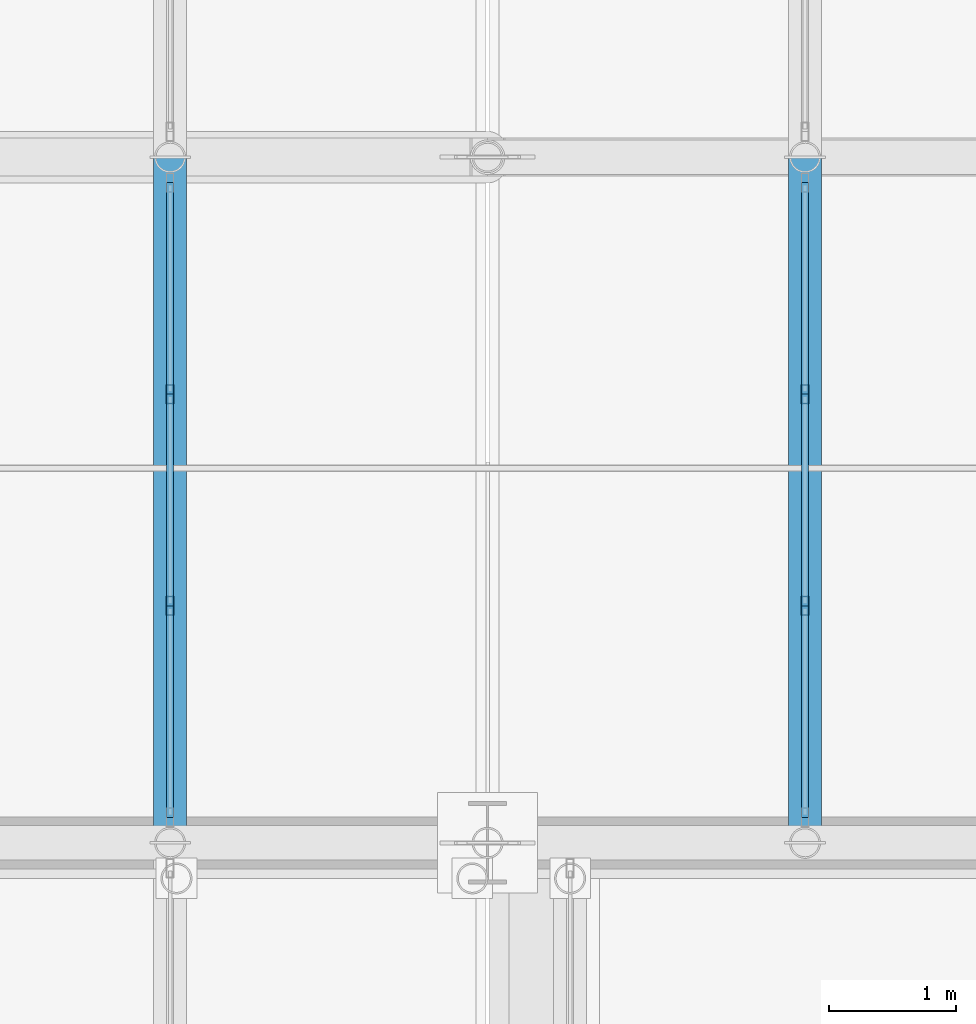
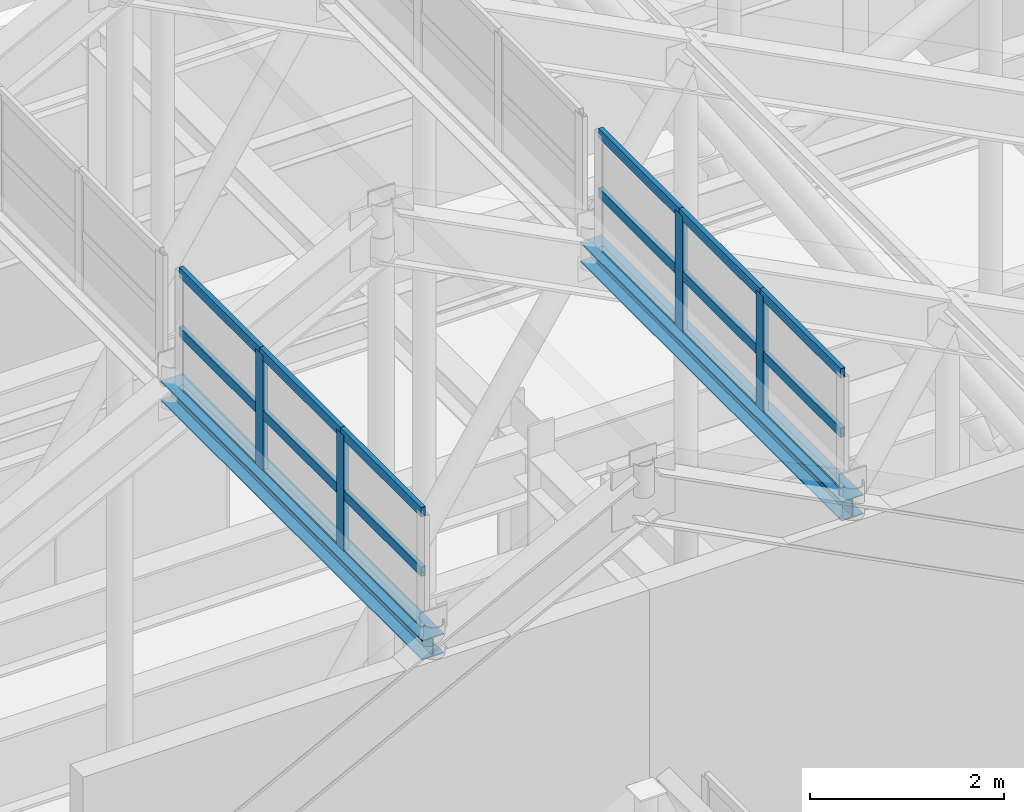
# One storey, part 31 of 84: 22 members, 2 beams, 2 elements without a shape of their own.
"""IFC4 building model written with IfcOpenShell, lengths in metres."""

from ifc_helpers import new_model, si_unit, direction, frame, origin, origin_2d, place, context, subcontext, project, spatial, hollow_rectangle, i_section, extrude, material, layer, layer_set, material_profile, profile_set, type_object, element, aggregate, save


model = new_model("IFC4")

# Units and contexts
model_context = context("Model", 3, precision=1e-05, world=origin(), true_north=direction((0.0, 1.0)))
body_context = subcontext(model_context, "Body", "Model", "MODEL_VIEW")
ifc_project = project(units=[si_unit("LENGTHUNIT", "METRE"), si_unit("AREAUNIT", "SQUARE_METRE"), si_unit("VOLUMEUNIT", "CUBIC_METRE"), si_unit("PLANEANGLEUNIT", "RADIAN"), si_unit("MASSUNIT", "GRAM", prefix="KILO")], contexts=[model_context])

# Site, building, storey
site_placement = place(None, origin())
site = spatial("IfcSite", under=ifc_project, at=site_placement, CompositionType="ELEMENT")
building_placement = place(site_placement, origin())
building = spatial("IfcBuilding", under=site, at=building_placement, Name="Sundgate Opera House", CompositionType="ELEMENT")
storey_placement = place(building_placement, frame((0.0, 0.0, 30.60009765625)))
storey = spatial("IfcBuildingStorey", under=building, at=storey_placement, Name="L06", CompositionType="ELEMENT", Elevation=30.60009765625)

# Beams
ifc_material_1 = material(Name="Steel S355J2", Category="steel")
ifc_material_profile_1 = material_profile(ifc_material_1, i_section(OverallWidth=0.260009765625, OverallDepth=0.25, WebThickness=0.007568359375, FlangeThickness=0.012451171875, at=origin_2d()), Name="HEA 260")
ifc_profile_set_1 = profile_set([ifc_material_profile_1], Name="Steel S355J2")
beam_type = type_object("IfcBeamType", Name="BM-LN-HEA260", PredefinedType="LINTEL", material=ifc_profile_set_1)
for number, where, z_axis, x_axis, name in (
    (1, (51.5, 60.0, 16.119873046875), (0.0, 1.0, 0.0), (-1.0, 0.0, 0.0), "L06 Crown Clerestory Curb Beam BS032"),
    (2, (56.5, 60.0, 16.119873046875), (0.0, 1.0, 0.0), (-1.0, 0.0, 0.0), "L06 Crown Clerestory Curb Beam BS033"),
):
    element("IfcBeam", number, at=place(storey_placement, frame(where, z_axis=z_axis, x_axis=x_axis)), inside=storey, type_object=beam_type, Name=name, PredefinedType="LINTEL", context=body_context, shape_type="SweptSolid", body=[
        extrude(i_section(OverallWidth=0.260009765625, OverallDepth=0.25, WebThickness=0.007568359375, FlangeThickness=0.012451171875, at=origin_2d()), origin(), (0.0, 0.0, 1.0), 5.39990234375),
    ])

# Curtain wall, members
ifc_material_2 = material(Name="Anodized aluminium and low-iron glass", Category="aluminium")
ifc_layer = layer(ifc_material_2, 0.169921875)
ifc_layer_set = layer_set([ifc_layer], Name="Anodized aluminium and low-iron glass")
curtain_wall_type = type_object("IfcCurtainWallType", Name="CW-LANTERN-POLY", PredefinedType="NOTDEFINED", material=ifc_layer_set)
curtain_wall_1_placement = place(storey_placement, origin())
curtain_wall_1 = element("IfcCurtainWall", 3, at=curtain_wall_1_placement, inside=storey, type_object=curtain_wall_type, Name="L06 Curtain Wall CW179", PredefinedType="NOTDEFINED")
ifc_material_3 = material(Name="Anodized aluminium EN AW-6063", Category="aluminium")
ifc_material_profile_2 = material_profile(ifc_material_3, hollow_rectangle(XDim=0.06005859375, YDim=0.14990234375, WallThickness=0.00390625, at=origin_2d()), Name="CWM 150x60x4")
ifc_profile_set_2 = profile_set([ifc_material_profile_2], Name="Anodized aluminium EN AW-6063")
member_type_1 = type_object("IfcMemberType", Name="CWM-ALU-150x60", PredefinedType="MULLION", material=ifc_profile_set_2)
member_1_placement = place(storey_placement, frame((51.5, 63.533447265625, 16.199951171875), z_axis=(0.0, 0.0, 1.0), x_axis=(1.0, 0.0, 0.0)))
member_1 = element("IfcMember", 4, at=member_1_placement, type_object=member_type_1, Name="CW179 Mullion 2", PredefinedType="MULLION", context=body_context, shape_type="SweptSolid", body=[
    extrude(hollow_rectangle(XDim=0.06005859375, YDim=0.14990234375, WallThickness=0.00390625, at=origin_2d()), origin(), (0.0, 0.0, 1.0), 1.5),
])
member_2_placement = place(storey_placement, frame((51.5, 61.86669921875, 16.199951171875), z_axis=(0.0, 0.0, 1.0), x_axis=(1.0, 0.0, 0.0)))
member_2 = element("IfcMember", 5, at=member_2_placement, type_object=member_type_1, Name="CW179 Mullion 3", PredefinedType="MULLION", context=body_context, shape_type="SweptSolid", body=[
    extrude(hollow_rectangle(XDim=0.06005859375, YDim=0.14990234375, WallThickness=0.00390625, at=origin_2d()), origin(), (0.0, 0.0, 1.0), 1.5),
])

curtain_wall_2_placement = place(storey_placement, origin())
curtain_wall_2 = element("IfcCurtainWall", 6, at=curtain_wall_2_placement, inside=storey, type_object=curtain_wall_type, Name="L06 Curtain Wall CW180", PredefinedType="NOTDEFINED")
member_3_placement = place(storey_placement, frame((56.5, 61.86669921875, 16.199951171875), z_axis=(0.0, 0.0, 1.0), x_axis=(1.0, 0.0, 0.0)))
member_3 = element("IfcMember", 7, at=member_3_placement, type_object=member_type_1, Name="CW180 Mullion 2", PredefinedType="MULLION", context=body_context, shape_type="SweptSolid", body=[
    extrude(hollow_rectangle(XDim=0.06005859375, YDim=0.14990234375, WallThickness=0.00390625, at=origin_2d()), origin(), (0.0, 0.0, 1.0), 1.5),
])
member_4_placement = place(storey_placement, frame((56.5, 63.533447265625, 16.199951171875), z_axis=(0.0, 0.0, 1.0), x_axis=(1.0, 0.0, 0.0)))
member_4 = element("IfcMember", 8, at=member_4_placement, type_object=member_type_1, Name="CW180 Mullion 3", PredefinedType="MULLION", context=body_context, shape_type="SweptSolid", body=[
    extrude(hollow_rectangle(XDim=0.06005859375, YDim=0.14990234375, WallThickness=0.00390625, at=origin_2d()), origin(), (0.0, 0.0, 1.0), 1.5),
])

# Member
ifc_material_4 = material(Name="Anodized aluminium EN AW-6063", Category="aluminium")
ifc_material_profile_3 = material_profile(ifc_material_4, hollow_rectangle(XDim=0.054931640625, YDim=0.1201171875, WallThickness=0.00390625, at=origin_2d()), Name="CWT 120x55x4")
ifc_profile_set_3 = profile_set([ifc_material_profile_3], Name="Anodized aluminium EN AW-6063")
member_type_2 = type_object("IfcMemberType", Name="CWT-ALU-120x55", PredefinedType="USERDEFINED", material=ifc_profile_set_3)
member_5_placement = place(storey_placement, frame((51.5, 65.199951171875, 16.199951171875), z_axis=(0.0, -1.0, 0.0), x_axis=(1.0, 0.0, 0.0)))
member_5 = element("IfcMember", 9, at=member_5_placement, type_object=member_type_2, Name="CW179 Transom 1", ObjectType="TRANSOM", PredefinedType="USERDEFINED", context=body_context, shape_type="SweptSolid", body=[
    extrude(hollow_rectangle(XDim=0.054931640625, YDim=0.1201171875, WallThickness=0.00390625, at=origin_2d()), origin(), (0.0, 0.0, 1.0), 1.66650390625),
])

member_6_placement = place(storey_placement, frame((51.5, 65.199951171875, 16.949951171875), z_axis=(0.0, -1.0, 0.0), x_axis=(1.0, 0.0, 0.0)))
member_6 = element("IfcMember", 10, at=member_6_placement, type_object=member_type_2, Name="CW179 Transom 2", ObjectType="TRANSOM", PredefinedType="USERDEFINED", context=body_context, shape_type="SweptSolid", body=[
    extrude(hollow_rectangle(XDim=0.054931640625, YDim=0.1201171875, WallThickness=0.00390625, at=origin_2d()), origin(), (0.0, 0.0, 1.0), 1.66650390625),
])

member_7_placement = place(storey_placement, frame((51.5, 65.199951171875, 17.699951171875), z_axis=(0.0, -1.0, 0.0), x_axis=(1.0, 0.0, 0.0)))
member_7 = element("IfcMember", 11, at=member_7_placement, type_object=member_type_2, Name="CW179 Transom 3", ObjectType="TRANSOM", PredefinedType="USERDEFINED", context=body_context, shape_type="SweptSolid", body=[
    extrude(hollow_rectangle(XDim=0.054931640625, YDim=0.1201171875, WallThickness=0.00390625, at=origin_2d()), origin(), (0.0, 0.0, 1.0), 1.66650390625),
])

member_8_placement = place(storey_placement, frame((51.5, 63.533447265625, 16.199951171875), z_axis=(0.0, -1.0, 0.0), x_axis=(1.0, 0.0, 0.0)))
member_8 = element("IfcMember", 12, at=member_8_placement, type_object=member_type_2, Name="CW179 Transom 4", ObjectType="TRANSOM", PredefinedType="USERDEFINED", context=body_context, shape_type="SweptSolid", body=[
    extrude(hollow_rectangle(XDim=0.054931640625, YDim=0.1201171875, WallThickness=0.00390625, at=origin_2d()), origin(), (0.0, 0.0, 1.0), 1.666748046875),
])

member_9_placement = place(storey_placement, frame((51.5, 63.533447265625, 16.949951171875), z_axis=(0.0, -1.0, 0.0), x_axis=(1.0, 0.0, 0.0)))
member_9 = element("IfcMember", 13, at=member_9_placement, type_object=member_type_2, Name="CW179 Transom 5", ObjectType="TRANSOM", PredefinedType="USERDEFINED", context=body_context, shape_type="SweptSolid", body=[
    extrude(hollow_rectangle(XDim=0.054931640625, YDim=0.1201171875, WallThickness=0.00390625, at=origin_2d()), origin(), (0.0, 0.0, 1.0), 1.666748046875),
])

member_10_placement = place(storey_placement, frame((51.5, 63.533447265625, 17.699951171875), z_axis=(0.0, -1.0, 0.0), x_axis=(1.0, 0.0, 0.0)))
member_10 = element("IfcMember", 14, at=member_10_placement, type_object=member_type_2, Name="CW179 Transom 6", ObjectType="TRANSOM", PredefinedType="USERDEFINED", context=body_context, shape_type="SweptSolid", body=[
    extrude(hollow_rectangle(XDim=0.054931640625, YDim=0.1201171875, WallThickness=0.00390625, at=origin_2d()), origin(), (0.0, 0.0, 1.0), 1.666748046875),
])

member_11_placement = place(storey_placement, frame((51.5, 61.86669921875, 16.199951171875), z_axis=(0.0, -1.0, 0.0), x_axis=(1.0, 0.0, 0.0)))
member_11 = element("IfcMember", 15, at=member_11_placement, type_object=member_type_2, Name="CW179 Transom 7", ObjectType="TRANSOM", PredefinedType="USERDEFINED", context=body_context, shape_type="SweptSolid", body=[
    extrude(hollow_rectangle(XDim=0.054931640625, YDim=0.1201171875, WallThickness=0.00390625, at=origin_2d()), origin(), (0.0, 0.0, 1.0), 1.666748046875),
])

member_12_placement = place(storey_placement, frame((51.5, 61.86669921875, 16.949951171875), z_axis=(0.0, -1.0, 0.0), x_axis=(1.0, 0.0, 0.0)))
member_12 = element("IfcMember", 16, at=member_12_placement, type_object=member_type_2, Name="CW179 Transom 8", ObjectType="TRANSOM", PredefinedType="USERDEFINED", context=body_context, shape_type="SweptSolid", body=[
    extrude(hollow_rectangle(XDim=0.054931640625, YDim=0.1201171875, WallThickness=0.00390625, at=origin_2d()), origin(), (0.0, 0.0, 1.0), 1.666748046875),
])

member_13_placement = place(storey_placement, frame((51.5, 61.86669921875, 17.699951171875), z_axis=(0.0, -1.0, 0.0), x_axis=(1.0, 0.0, 0.0)))
member_13 = element("IfcMember", 17, at=member_13_placement, type_object=member_type_2, Name="CW179 Transom 9", ObjectType="TRANSOM", PredefinedType="USERDEFINED", context=body_context, shape_type="SweptSolid", body=[
    extrude(hollow_rectangle(XDim=0.054931640625, YDim=0.1201171875, WallThickness=0.00390625, at=origin_2d()), origin(), (0.0, 0.0, 1.0), 1.666748046875),
])

aggregate(curtain_wall_1, [member_1, member_2, member_5, member_6, member_7, member_8, member_9, member_10, member_11, member_12, member_13])

member_14_placement = place(storey_placement, frame((56.5, 60.199951171875, 16.199951171875), z_axis=(0.0, 1.0, 0.0), x_axis=(-1.0, 0.0, 0.0)))
member_14 = element("IfcMember", 18, at=member_14_placement, type_object=member_type_2, Name="CW180 Transom 1", ObjectType="TRANSOM", PredefinedType="USERDEFINED", context=body_context, shape_type="SweptSolid", body=[
    extrude(hollow_rectangle(XDim=0.054931640625, YDim=0.1201171875, WallThickness=0.00390625, at=origin_2d()), origin(), (0.0, 0.0, 1.0), 1.666748046875),
])

member_15_placement = place(storey_placement, frame((56.5, 60.199951171875, 16.949951171875), z_axis=(0.0, 1.0, 0.0), x_axis=(-1.0, 0.0, 0.0)))
member_15 = element("IfcMember", 19, at=member_15_placement, type_object=member_type_2, Name="CW180 Transom 2", ObjectType="TRANSOM", PredefinedType="USERDEFINED", context=body_context, shape_type="SweptSolid", body=[
    extrude(hollow_rectangle(XDim=0.054931640625, YDim=0.1201171875, WallThickness=0.00390625, at=origin_2d()), origin(), (0.0, 0.0, 1.0), 1.666748046875),
])

member_16_placement = place(storey_placement, frame((56.5, 60.199951171875, 17.699951171875), z_axis=(0.0, 1.0, 0.0), x_axis=(-1.0, 0.0, 0.0)))
member_16 = element("IfcMember", 20, at=member_16_placement, type_object=member_type_2, Name="CW180 Transom 3", ObjectType="TRANSOM", PredefinedType="USERDEFINED", context=body_context, shape_type="SweptSolid", body=[
    extrude(hollow_rectangle(XDim=0.054931640625, YDim=0.1201171875, WallThickness=0.00390625, at=origin_2d()), origin(), (0.0, 0.0, 1.0), 1.666748046875),
])

member_17_placement = place(storey_placement, frame((56.5, 61.86669921875, 16.199951171875), z_axis=(0.0, 1.0, 0.0), x_axis=(-1.0, 0.0, 0.0)))
member_17 = element("IfcMember", 21, at=member_17_placement, type_object=member_type_2, Name="CW180 Transom 4", ObjectType="TRANSOM", PredefinedType="USERDEFINED", context=body_context, shape_type="SweptSolid", body=[
    extrude(hollow_rectangle(XDim=0.054931640625, YDim=0.1201171875, WallThickness=0.00390625, at=origin_2d()), origin(), (0.0, 0.0, 1.0), 1.666748046875),
])

member_18_placement = place(storey_placement, frame((56.5, 61.86669921875, 16.949951171875), z_axis=(0.0, 1.0, 0.0), x_axis=(-1.0, 0.0, 0.0)))
member_18 = element("IfcMember", 22, at=member_18_placement, type_object=member_type_2, Name="CW180 Transom 5", ObjectType="TRANSOM", PredefinedType="USERDEFINED", context=body_context, shape_type="SweptSolid", body=[
    extrude(hollow_rectangle(XDim=0.054931640625, YDim=0.1201171875, WallThickness=0.00390625, at=origin_2d()), origin(), (0.0, 0.0, 1.0), 1.666748046875),
])

member_19_placement = place(storey_placement, frame((56.5, 61.86669921875, 17.699951171875), z_axis=(0.0, 1.0, 0.0), x_axis=(-1.0, 0.0, 0.0)))
member_19 = element("IfcMember", 23, at=member_19_placement, type_object=member_type_2, Name="CW180 Transom 6", ObjectType="TRANSOM", PredefinedType="USERDEFINED", context=body_context, shape_type="SweptSolid", body=[
    extrude(hollow_rectangle(XDim=0.054931640625, YDim=0.1201171875, WallThickness=0.00390625, at=origin_2d()), origin(), (0.0, 0.0, 1.0), 1.666748046875),
])

member_20_placement = place(storey_placement, frame((56.5, 63.533447265625, 16.199951171875), z_axis=(0.0, 1.0, 0.0), x_axis=(-1.0, 0.0, 0.0)))
member_20 = element("IfcMember", 24, at=member_20_placement, type_object=member_type_2, Name="CW180 Transom 7", ObjectType="TRANSOM", PredefinedType="USERDEFINED", context=body_context, shape_type="SweptSolid", body=[
    extrude(hollow_rectangle(XDim=0.054931640625, YDim=0.1201171875, WallThickness=0.00390625, at=origin_2d()), origin(), (0.0, 0.0, 1.0), 1.66650390625),
])

member_21_placement = place(storey_placement, frame((56.5, 63.533447265625, 16.949951171875), z_axis=(0.0, 1.0, 0.0), x_axis=(-1.0, 0.0, 0.0)))
member_21 = element("IfcMember", 25, at=member_21_placement, type_object=member_type_2, Name="CW180 Transom 8", ObjectType="TRANSOM", PredefinedType="USERDEFINED", context=body_context, shape_type="SweptSolid", body=[
    extrude(hollow_rectangle(XDim=0.054931640625, YDim=0.1201171875, WallThickness=0.00390625, at=origin_2d()), origin(), (0.0, 0.0, 1.0), 1.66650390625),
])

member_22_placement = place(storey_placement, frame((56.5, 63.533447265625, 17.699951171875), z_axis=(0.0, 1.0, 0.0), x_axis=(-1.0, 0.0, 0.0)))
member_22 = element("IfcMember", 26, at=member_22_placement, type_object=member_type_2, Name="CW180 Transom 9", ObjectType="TRANSOM", PredefinedType="USERDEFINED", context=body_context, shape_type="SweptSolid", body=[
    extrude(hollow_rectangle(XDim=0.054931640625, YDim=0.1201171875, WallThickness=0.00390625, at=origin_2d()), origin(), (0.0, 0.0, 1.0), 1.66650390625),
])

aggregate(curtain_wall_2, [member_3, member_4, member_14, member_15, member_16, member_17, member_18, member_19, member_20, member_21, member_22])

save(model, "model.ifc")
